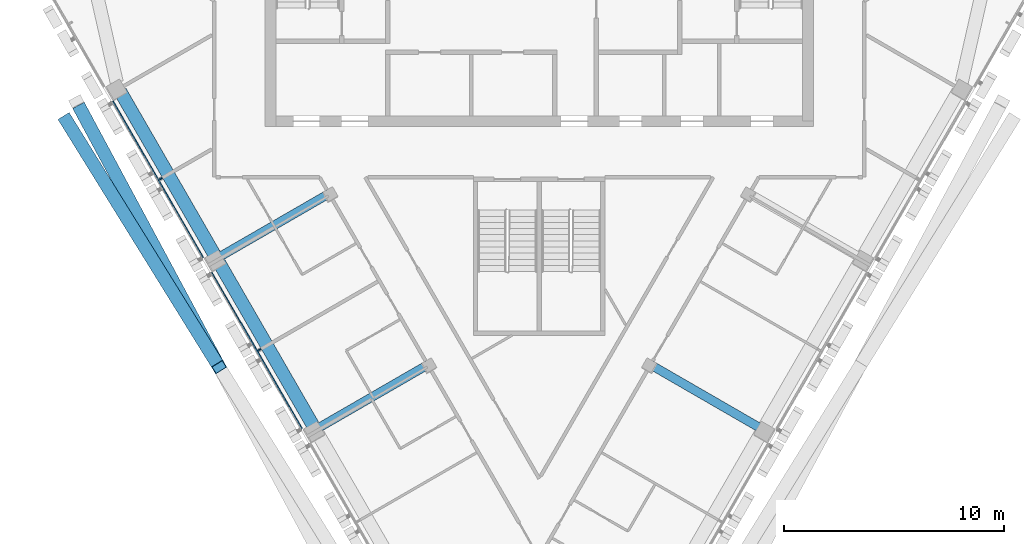
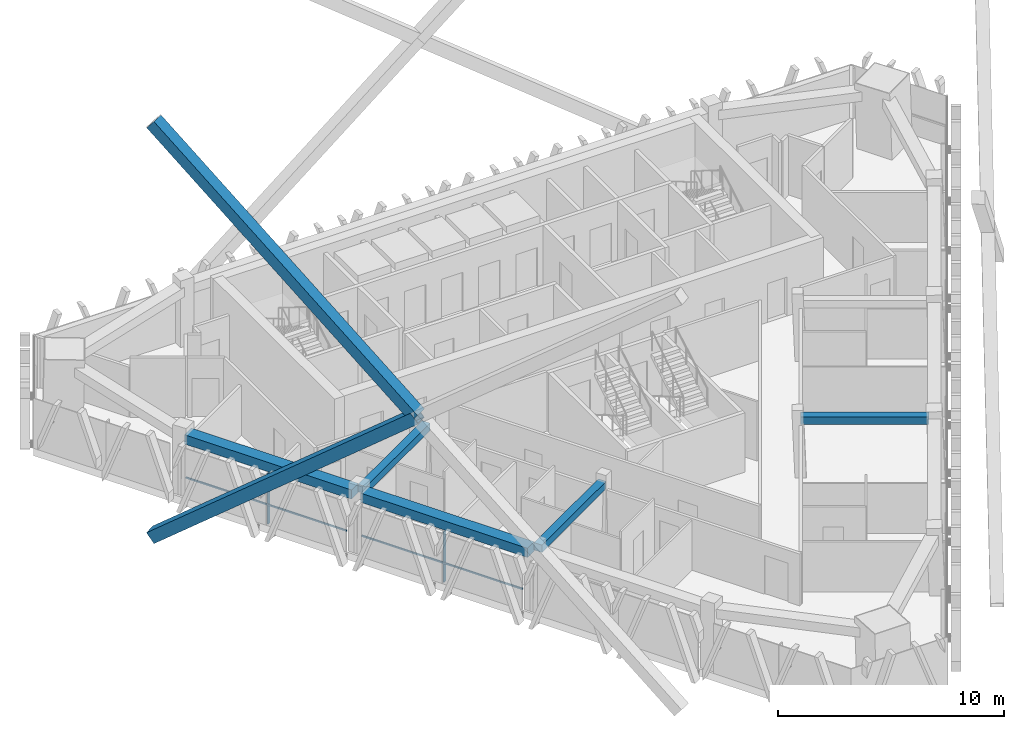
# One storey, part 3 of 14: 6 members, 5 beams, 1 element without a shape of its own.
"""IFC4 building model written with IfcOpenShell, lengths in metres."""

from ifc_helpers import new_model, si_unit, direction, frame, origin, origin_2d, place, context, subcontext, project, spatial, rectangle, hollow_rectangle, extrude, material, layer, layer_set, material_profile, profile_set, type_object, element, aggregate, save


model = new_model("IFC4")

# Units and contexts
model_context = context("Model", 3, precision=1e-05, world=origin(), true_north=direction((0.0, 1.0)))
body_context = subcontext(model_context, "Body", "Model", "MODEL_VIEW")
ifc_project = project(units=[si_unit("LENGTHUNIT", "METRE"), si_unit("AREAUNIT", "SQUARE_METRE"), si_unit("VOLUMEUNIT", "CUBIC_METRE"), si_unit("PLANEANGLEUNIT", "RADIAN"), si_unit("MASSUNIT", "GRAM", prefix="KILO")], contexts=[model_context])

# Site, building, storey
site_placement = place(None, origin())
site = spatial("IfcSite", under=ifc_project, at=site_placement, CompositionType="ELEMENT")
building_placement = place(site_placement, origin())
building = spatial("IfcBuilding", under=site, at=building_placement, Name="Altiplano Prism Tower", CompositionType="ELEMENT")
storey_placement = place(building_placement, frame((0.0, 0.0, 264.39990234375)))
storey = spatial("IfcBuildingStorey", under=building, at=storey_placement, Name="L68", CompositionType="ELEMENT", Elevation=264.39990234375)

# Curtain wall, members
ifc_material_1 = material(Name="Aluminium and glass", Category="aluminium")
ifc_layer = layer(ifc_material_1, 0.280029296875)
ifc_layer_set = layer_set([ifc_layer], Name="Aluminium and glass")
curtain_wall_type = type_object("IfcCurtainWallType", Name="CW1 typical co-living unitised curtain wall", PredefinedType="NOTDEFINED", material=ifc_layer_set)
curtain_wall_placement = place(storey_placement, origin())
curtain_wall = element("IfcCurtainWall", 1, at=curtain_wall_placement, inside=storey, type_object=curtain_wall_type, Name="CW1 curtain wall south-west face L68", PredefinedType="NOTDEFINED")
ifc_material_2 = material(Name="Aluminium", Category="aluminium")
ifc_material_profile_1 = material_profile(ifc_material_2, rectangle(XDim=0.179931640625, YDim=0.06494140625, at=origin_2d()), Name="CW1 mullion 65 x 180")
ifc_profile_set_1 = profile_set([ifc_material_profile_1], Name="Aluminium")
member_type_1 = type_object("IfcMemberType", Name="CW1 mullion 65 x 180", PredefinedType="MULLION", material=ifc_profile_set_1)
member_1_placement = place(storey_placement, frame((67.7529296875, 90.525634765625, 0.0), z_axis=(0.0, 0.0, 1.0), x_axis=(0.866025409343, 0.499999990372, 0.0)))
member_1 = element("IfcMember", 2, at=member_1_placement, type_object=member_type_1, Name="CW1 mullion", PredefinedType="MULLION", context=body_context, shape_type="SweptSolid", body=[
    extrude(rectangle(XDim=0.179931640625, YDim=0.06494140625, at=origin_2d()), origin(), (0.0, 0.0, 1.0), 2.7001953125),
])
member_2_placement = place(storey_placement, frame((72.2529296875, 82.7314453125, 0.0), z_axis=(0.0, 0.0, 1.0), x_axis=(0.866025409343, 0.499999990372, 0.0)))
member_2 = element("IfcMember", 3, at=member_2_placement, type_object=member_type_1, Name="CW1 mullion", PredefinedType="MULLION", context=body_context, shape_type="SweptSolid", body=[
    extrude(rectangle(XDim=0.179931640625, YDim=0.06494140625, at=origin_2d()), origin(), (0.0, 0.0, 1.0), 2.7001953125),
])
ifc_material_profile_2 = material_profile(ifc_material_2, rectangle(XDim=0.06005859375, YDim=0.080078125, at=origin_2d()), Name="CW1 transom 80 x 60")
ifc_profile_set_2 = profile_set([ifc_material_profile_2], Name="Aluminium")
member_type_2 = type_object("IfcMemberType", Name="CW1 transom 80 x 60", PredefinedType="USERDEFINED", material=ifc_profile_set_2)
member_3_placement = place(storey_placement, frame((65.57421875, 94.05908203125, 1.10009765625), z_axis=(0.499991554064, -0.866030279993, 0.0), x_axis=(0.866030279993, 0.499991554064, 0.0)))
member_3 = element("IfcMember", 4, at=member_3_placement, type_object=member_type_2, Name="CW1 transom", ObjectType="TRANSOM", PredefinedType="USERDEFINED", context=body_context, shape_type="SweptSolid", body=[
    extrude(rectangle(XDim=0.06005859375, YDim=0.080078125, at=origin_2d()), origin(), (0.0, 0.0, 1.0), 8.219970703125),
])
member_4_placement = place(storey_placement, frame((70.07421875, 86.264892578125, 1.10009765625), z_axis=(0.499991554064, -0.866030279993, 0.0), x_axis=(0.866030279993, 0.499991554064, 0.0)))
member_4 = element("IfcMember", 5, at=member_4_placement, type_object=member_type_2, Name="CW1 transom", ObjectType="TRANSOM", PredefinedType="USERDEFINED", context=body_context, shape_type="SweptSolid", body=[
    extrude(rectangle(XDim=0.06005859375, YDim=0.080078125, at=origin_2d()), origin(), (0.0, 0.0, 1.0), 8.219970703125),
])
aggregate(curtain_wall, [member_1, member_3, member_2, member_4])

# Beams
ifc_material_3 = material(Name="Concrete C60/75", Category="concrete")
ifc_material_profile_3 = material_profile(ifc_material_3, rectangle(XDim=0.60009765625, YDim=0.5, at=origin_2d()), Name="Edge beam 600x500")
ifc_profile_set_3 = profile_set([ifc_material_profile_3], Name="Concrete C60/75")
beam_type_1 = type_object("IfcBeamType", Name="Edge beam 600x500", PredefinedType="SPANDREL", material=ifc_profile_set_3)
for number, where, z_axis, x_axis, name in (
    (6, (65.923095703125, 94.491943359375, 2.9501953125), (0.500007039007, -0.866021339774, 0.0), (0.866021339774, 0.500007039007, 0.0), "Edge beam P11-P12 L69"),
    (7, (70.423095703125, 86.69775390625, 2.9501953125), (0.500007039007, -0.866021339774, 0.0), (0.866021339774, 0.500007039007, 0.0), "Edge beam P12-P13 L69"),
):
    element("IfcBeam", number, at=place(storey_placement, frame(where, z_axis=z_axis, x_axis=x_axis)), inside=storey, type_object=beam_type_1, Name=name, PredefinedType="SPANDREL", context=body_context, shape_type="SweptSolid", body=[
        extrude(rectangle(XDim=0.60009765625, YDim=0.5, at=origin_2d()), origin(), (0.0, 0.0, 1.0), 8.5400390625),
    ])

# Members
ifc_material_4 = material(Name="Steel S355", Category="steel")
ifc_material_profile_4 = material_profile(ifc_material_4, hollow_rectangle(XDim=0.60009765625, YDim=0.60009765625, WallThickness=0.030029296875, at=origin_2d()), Name="Mega brace Box 600x600x30")
ifc_profile_set_4 = profile_set([ifc_material_profile_4], Name="Steel S355")
member_type_3 = type_object("IfcMemberType", Name="Mega brace Box 600x600x30", PredefinedType="BRACE", material=ifc_profile_set_4)
member_5_placement = place(storey_placement, frame((63.43310546875, 93.227783203125, -0.75), z_axis=(0.407851811741, -0.657924759075, 0.633081283134), x_axis=(0.849938293125, 0.526882242897, 0.0)))
element("IfcMember", 8, at=member_5_placement, inside=storey, type_object=member_type_3, Name="Mega brace 7.1.1", PredefinedType="BRACE", context=body_context, shape_type="SweptSolid", body=[
    extrude(hollow_rectangle(XDim=0.60009765625, YDim=0.60009765625, WallThickness=0.030029296875, at=origin_2d()), origin(), (0.0, 0.0, 1.0), 17.138671875),
])
member_6_placement = place(storey_placement, frame((70.423095703125, 81.951904296875, 10.10009765625), z_axis=(-0.371745593741, 0.691346257091, 0.619552714739), x_axis=(-0.880746299205, -0.47358838292, 0.0)))
element("IfcMember", 9, at=member_6_placement, inside=storey, type_object=member_type_3, Name="Mega brace 7.1.4", PredefinedType="BRACE", context=body_context, shape_type="SweptSolid", body=[
    extrude(hollow_rectangle(XDim=0.60009765625, YDim=0.60009765625, WallThickness=0.030029296875, at=origin_2d()), origin(), (0.0, 0.0, 1.0), 17.482421875),
])

# Beams
ifc_material_profile_5 = material_profile(ifc_material_3, rectangle(XDim=0.39990234375, YDim=0.39990234375, at=origin_2d()), Name="Tie beam 400x400")
ifc_profile_set_5 = profile_set([ifc_material_profile_5], Name="Concrete C60/75")
beam_type_2 = type_object("IfcBeamType", Name="Tie beam 400x400", PredefinedType="BEAM", material=ifc_profile_set_5)
for number, where, z_axis, x_axis, name in (
    (10, (75.434814453125, 89.85693359375, 3.0), (-0.866019095539, -0.500010926042, 0.0), (0.500010926042, -0.866019095539, 0.0), "Tie beam I12 L69"),
    (11, (79.934814453125, 82.062744140625, 3.0), (-0.866019095539, -0.500010926042, 0.0), (0.500010926042, -0.866019095539, 0.0), "Tie beam I13 L69"),
    (12, (90.065185546875, 82.062744140625, 3.0), (0.866019095539, -0.500010926042, 0.0), (0.500010926042, 0.866019095539, 0.0), "Tie beam I22 L69"),
):
    element("IfcBeam", number, at=place(storey_placement, frame(where, z_axis=z_axis, x_axis=x_axis)), inside=storey, type_object=beam_type_2, Name=name, PredefinedType="BEAM", context=body_context, shape_type="SweptSolid", body=[
        extrude(rectangle(XDim=0.39990234375, YDim=0.39990234375, at=origin_2d()), origin(), (0.0, 0.0, 1.0), 5.689697265625),
    ])

save(model, "model.ifc")
